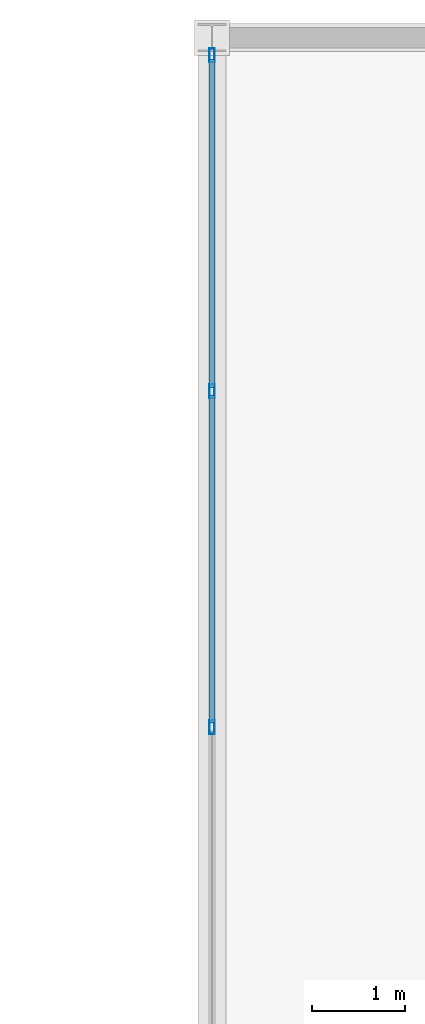
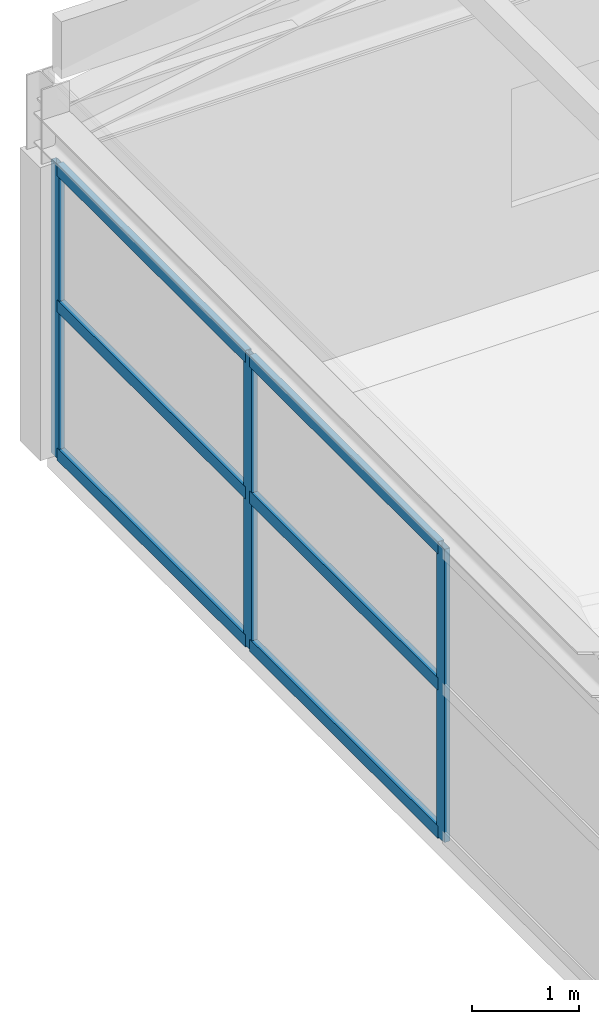
# One storey, part 25 of 63: 9 members, 1 element without a shape of its own.
"""IFC4 building model written with IfcOpenShell, lengths in metres."""

from ifc_helpers import new_model, si_unit, direction, frame, origin, origin_2d, place, context, subcontext, project, spatial, hollow_rectangle, extrude, material, material_profile, profile_set, type_object, element, aggregate, save


model = new_model("IFC4")

# Units and contexts
model_context = context("Model", 3, precision=1e-05, world=origin(), true_north=direction((0.0, 1.0)))
body_context = subcontext(model_context, "Body", "Model", "MODEL_VIEW")
ifc_project = project(units=[si_unit("LENGTHUNIT", "METRE"), si_unit("AREAUNIT", "SQUARE_METRE"), si_unit("VOLUMEUNIT", "CUBIC_METRE"), si_unit("PLANEANGLEUNIT", "RADIAN"), si_unit("MASSUNIT", "GRAM", prefix="KILO")], contexts=[model_context])

# Site, building, storey
site_placement = place(None, origin())
site = spatial("IfcSite", under=ifc_project, at=site_placement, CompositionType="ELEMENT")
building_placement = place(site_placement, origin())
building = spatial("IfcBuilding", under=site, at=building_placement, Name="Tarnveldt Headland Concert Hall", CompositionType="ELEMENT")
storey_placement = place(building_placement, frame((0.0, 0.0, 14.39990234375)))
storey = spatial("IfcBuildingStorey", under=building, at=storey_placement, Name="L03", CompositionType="ELEMENT", Elevation=14.39990234375)

# Curtain wall, members
ifc_material = material(Name="Marine-anodised aluminium EN AW-6063-T6", Category="aluminium")
curtain_wall_type = type_object("IfcCurtainWallType", Name="CW-R3", PredefinedType="NOTDEFINED", material=ifc_material)
curtain_wall_placement = place(storey_placement, origin())
curtain_wall = element("IfcCurtainWall", 1, at=curtain_wall_placement, inside=storey, type_object=curtain_wall_type, Name="Curtain wall CW-L03-183", PredefinedType="NOTDEFINED")
ifc_material_profile_1 = material_profile(ifc_material, hollow_rectangle(XDim=0.06005859375, YDim=0.14990234375, WallThickness=0.00390625, at=origin_2d()), Name="ALU MULLION 60x150x4", Category="aluminium")
ifc_profile_set_1 = profile_set([ifc_material_profile_1], Name="Marine-anodised aluminium EN AW-6063-T6")
member_type_1 = type_object("IfcMemberType", Name="ML-150", PredefinedType="MULLION", material=ifc_profile_set_1)
member_1_placement = place(storey_placement, frame((19.5, 115.010009765625, 0.0), z_axis=(0.0, 0.0, 1.0), x_axis=(1.0, 0.0, 0.0)))
member_1 = element("IfcMember", 2, at=member_1_placement, type_object=member_type_1, Name="Mullion CW-L03-183-1", PredefinedType="MULLION", context=body_context, shape_type="SweptSolid", body=[
    extrude(hollow_rectangle(XDim=0.06005859375, YDim=0.14990234375, WallThickness=0.00390625, at=origin_2d()), origin(), (0.0, 0.0, 1.0), 3.35009765625),
])
member_2_placement = place(storey_placement, frame((19.5, 111.4033203125, 0.0), z_axis=(0.0, 0.0, 1.0), x_axis=(1.0, 0.0, 0.0)))
member_2 = element("IfcMember", 3, at=member_2_placement, type_object=member_type_1, Name="Mullion CW-L03-183-2", PredefinedType="MULLION", context=body_context, shape_type="SweptSolid", body=[
    extrude(hollow_rectangle(XDim=0.06005859375, YDim=0.14990234375, WallThickness=0.00390625, at=origin_2d()), origin(), (0.0, 0.0, 1.0), 3.35009765625),
])
member_3_placement = place(storey_placement, frame((19.5, 107.796630859375, 0.0), z_axis=(0.0, 0.0, 1.0), x_axis=(1.0, 0.0, 0.0)))
member_3 = element("IfcMember", 4, at=member_3_placement, type_object=member_type_1, Name="Mullion CW-L03-183-3", PredefinedType="MULLION", context=body_context, shape_type="SweptSolid", body=[
    extrude(hollow_rectangle(XDim=0.06005859375, YDim=0.14990234375, WallThickness=0.00390625, at=origin_2d()), origin(), (0.0, 0.0, 1.0), 3.35009765625),
])
ifc_material_profile_2 = material_profile(ifc_material, hollow_rectangle(XDim=0.06494140625, YDim=0.139892578125, WallThickness=0.00390625, at=origin_2d()), Name="ALU TRANSOM 65x140x4", Category="aluminium")
ifc_profile_set_2 = profile_set([ifc_material_profile_2], Name="Marine-anodised aluminium EN AW-6063-T6")
member_type_2 = type_object("IfcMemberType", Name="TR-140", PredefinedType="MEMBER", material=ifc_profile_set_2)
member_4_placement = place(storey_placement, frame((19.5, 114.968017578125, 0.050048828125), z_axis=(0.0, -1.0, 0.0), x_axis=(1.0, 0.0, 0.0)))
member_4 = element("IfcMember", 5, at=member_4_placement, type_object=member_type_2, Name="Transom CW-L03-183-1-1", PredefinedType="MEMBER", context=body_context, shape_type="SweptSolid", body=[
    extrude(hollow_rectangle(XDim=0.06494140625, YDim=0.139892578125, WallThickness=0.00390625, at=origin_2d()), origin(), (0.0, 0.0, 1.0), 3.522705078125),
])
member_5_placement = place(storey_placement, frame((19.5, 114.968017578125, 1.7421875), z_axis=(0.0, -1.0, 0.0), x_axis=(1.0, 0.0, 0.0)))
member_5 = element("IfcMember", 6, at=member_5_placement, type_object=member_type_2, Name="Transom CW-L03-183-1-2", PredefinedType="MEMBER", context=body_context, shape_type="SweptSolid", body=[
    extrude(hollow_rectangle(XDim=0.06494140625, YDim=0.139892578125, WallThickness=0.00390625, at=origin_2d()), origin(), (0.0, 0.0, 1.0), 3.522705078125),
])
member_6_placement = place(storey_placement, frame((19.5, 114.968017578125, 3.300048828125), z_axis=(0.0, -1.0, 0.0), x_axis=(1.0, 0.0, 0.0)))
member_6 = element("IfcMember", 7, at=member_6_placement, type_object=member_type_2, Name="Transom CW-L03-183-1-3", PredefinedType="MEMBER", context=body_context, shape_type="SweptSolid", body=[
    extrude(hollow_rectangle(XDim=0.06494140625, YDim=0.139892578125, WallThickness=0.00390625, at=origin_2d()), origin(), (0.0, 0.0, 1.0), 3.522705078125),
])
member_7_placement = place(storey_placement, frame((19.5, 111.361328125, 0.050048828125), z_axis=(0.0, -1.0, 0.0), x_axis=(1.0, 0.0, 0.0)))
member_7 = element("IfcMember", 8, at=member_7_placement, type_object=member_type_2, Name="Transom CW-L03-183-2-1", PredefinedType="MEMBER", context=body_context, shape_type="SweptSolid", body=[
    extrude(hollow_rectangle(XDim=0.06494140625, YDim=0.139892578125, WallThickness=0.00390625, at=origin_2d()), origin(), (0.0, 0.0, 1.0), 3.522705078125),
])
member_8_placement = place(storey_placement, frame((19.5, 111.361328125, 1.7421875), z_axis=(0.0, -1.0, 0.0), x_axis=(1.0, 0.0, 0.0)))
member_8 = element("IfcMember", 9, at=member_8_placement, type_object=member_type_2, Name="Transom CW-L03-183-2-2", PredefinedType="MEMBER", context=body_context, shape_type="SweptSolid", body=[
    extrude(hollow_rectangle(XDim=0.06494140625, YDim=0.139892578125, WallThickness=0.00390625, at=origin_2d()), origin(), (0.0, 0.0, 1.0), 3.522705078125),
])
member_9_placement = place(storey_placement, frame((19.5, 111.361328125, 3.300048828125), z_axis=(0.0, -1.0, 0.0), x_axis=(1.0, 0.0, 0.0)))
member_9 = element("IfcMember", 10, at=member_9_placement, type_object=member_type_2, Name="Transom CW-L03-183-2-3", PredefinedType="MEMBER", context=body_context, shape_type="SweptSolid", body=[
    extrude(hollow_rectangle(XDim=0.06494140625, YDim=0.139892578125, WallThickness=0.00390625, at=origin_2d()), origin(), (0.0, 0.0, 1.0), 3.522705078125),
])
aggregate(curtain_wall, [member_1, member_2, member_3, member_4, member_5, member_6, member_7, member_8, member_9])

save(model, "model.ifc")
